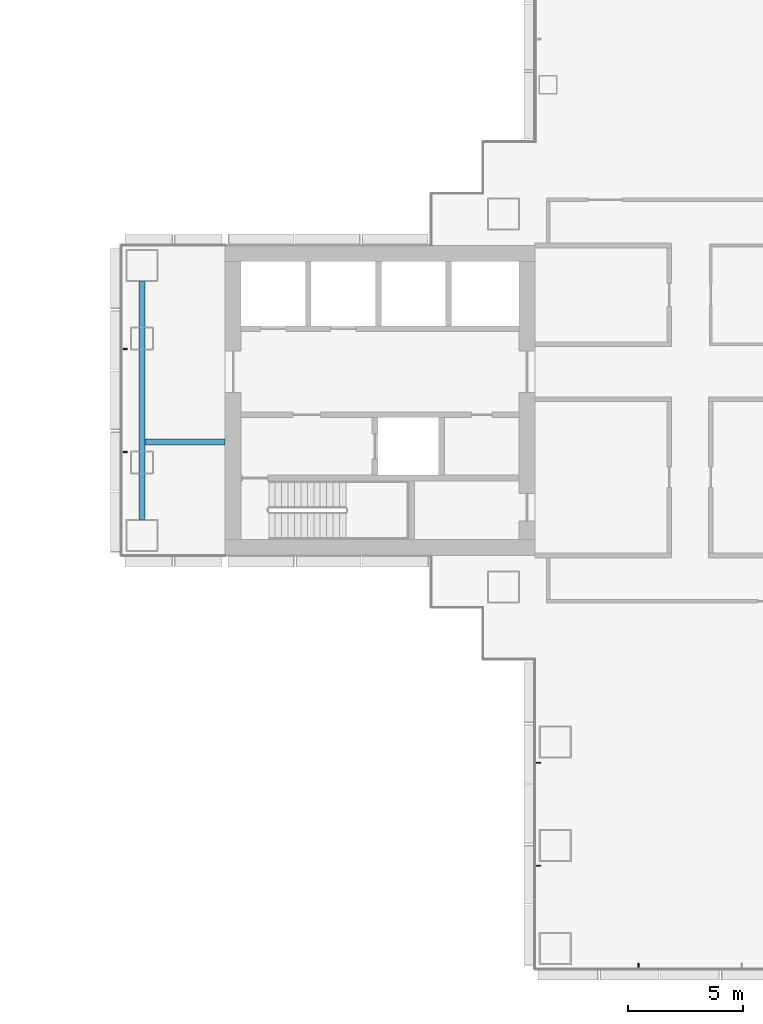
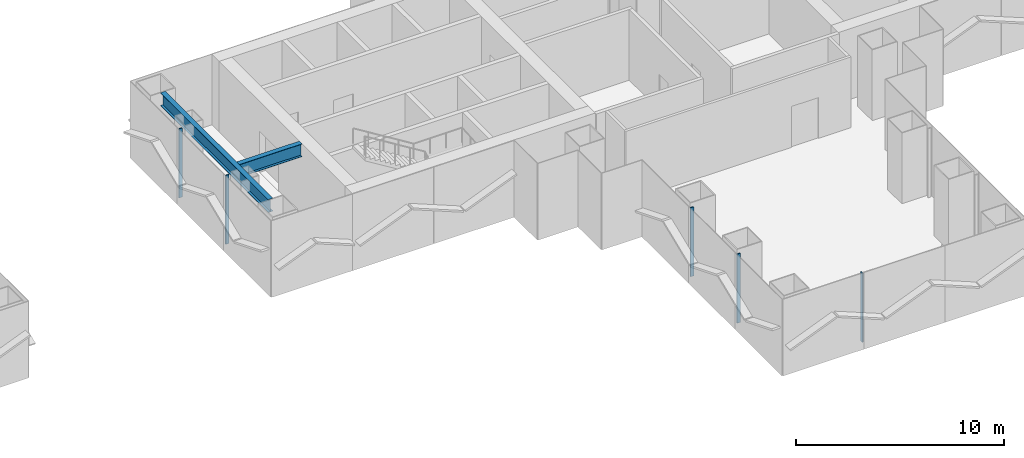
# One storey, part 7 of 22: 5 members, 2 beams, 3 elements without a shape of their own.
"""IFC4 building model written with IfcOpenShell, lengths in metres."""

from ifc_helpers import new_model, si_unit, direction, frame, origin, origin_2d, place, context, subcontext, project, spatial, rectangle, i_section, extrude, material, layer, layer_set, material_profile, profile_set, type_object, element, aggregate, save


model = new_model("IFC4")

# Units and contexts
model_context = context("Model", 3, precision=1e-05, world=origin(), true_north=direction((0.0, 1.0)))
body_context = subcontext(model_context, "Body", "Model", "MODEL_VIEW")
ifc_project = project(units=[si_unit("LENGTHUNIT", "METRE"), si_unit("AREAUNIT", "SQUARE_METRE"), si_unit("VOLUMEUNIT", "CUBIC_METRE"), si_unit("PLANEANGLEUNIT", "RADIAN"), si_unit("MASSUNIT", "GRAM", prefix="KILO")], contexts=[model_context])

# Site, building, storey
site_placement = place(None, origin())
site = spatial("IfcSite", under=ifc_project, at=site_placement, CompositionType="ELEMENT")
building_placement = place(site_placement, origin())
building = spatial("IfcBuilding", under=site, at=building_placement, Name="Shamsa Quay Exchange Towers", CompositionType="ELEMENT")
storey_placement = place(building_placement, frame((0.0, 0.0, 37.5)))
storey = spatial("IfcBuildingStorey", under=building, at=storey_placement, Name="L07", CompositionType="ELEMENT", Elevation=37.5)

# Curtain wall, members
ifc_material_1 = material(Name="Aluminium EN AW-6063 T6, black anodised", Category="aluminium")
ifc_layer = layer(ifc_material_1, 0.280029296875)
ifc_layer_set = layer_set([ifc_layer], Name="CW-1 UNITISED VISION GLASS")
curtain_wall_type = type_object("IfcCurtainWallType", Name="CW-1 UNITISED VISION GLASS", PredefinedType="NOTDEFINED", material=ifc_layer_set)
curtain_wall_1_placement = place(storey_placement, origin())
curtain_wall_1 = element("IfcCurtainWall", 1, at=curtain_wall_1_placement, inside=storey, type_object=curtain_wall_type, Name="CW1 T2-END-V+ L07", PredefinedType="NOTDEFINED")
ifc_material_profile_1 = material_profile(ifc_material_1, rectangle(XDim=0.179931640625, YDim=0.06005859375, at=origin_2d()), Name="MU60x180")
ifc_profile_set_1 = profile_set([ifc_material_profile_1], Name="Aluminium EN AW-6063 T6, black anodised")
member_type = type_object("IfcMemberType", Name="CW1 MULLION 60x180", PredefinedType="MULLION", material=ifc_profile_set_1)
member_1_placement = place(storey_placement, frame((9.14990234375, 2.25, 0.0)))
member_1 = element("IfcMember", 2, at=member_1_placement, type_object=member_type, Name="CW1 mullion", PredefinedType="MULLION", context=body_context, shape_type="SweptSolid", body=[
    extrude(rectangle(XDim=0.179931640625, YDim=0.06005859375, at=origin_2d()), origin(), (0.0, 0.0, 1.0), 4.050048828125),
])
member_2_placement = place(storey_placement, frame((9.14990234375, -2.25, 0.0)))
member_2 = element("IfcMember", 3, at=member_2_placement, type_object=member_type, Name="CW1 mullion", PredefinedType="MULLION", context=body_context, shape_type="SweptSolid", body=[
    extrude(rectangle(XDim=0.179931640625, YDim=0.06005859375, at=origin_2d()), origin(), (0.0, 0.0, 1.0), 4.050048828125),
])
aggregate(curtain_wall_1, [member_1, member_2])

curtain_wall_2_placement = place(storey_placement, origin())
curtain_wall_2 = element("IfcCurtainWall", 4, at=curtain_wall_2_placement, inside=storey, type_object=curtain_wall_type, Name="CW1 T2-FLK-U-N L07", PredefinedType="NOTDEFINED")
member_3_placement = place(storey_placement, frame((27.14990234375, -15.775390625, 0.0)))
member_3 = element("IfcMember", 5, at=member_3_placement, type_object=member_type, Name="CW1 mullion", PredefinedType="MULLION", context=body_context, shape_type="SweptSolid", body=[
    extrude(rectangle(XDim=0.179931640625, YDim=0.06005859375, at=origin_2d()), origin(), (0.0, 0.0, 1.0), 4.050048828125),
])
member_4_placement = place(storey_placement, frame((27.14990234375, -20.2626953125, 0.0)))
member_4 = element("IfcMember", 6, at=member_4_placement, type_object=member_type, Name="CW1 mullion", PredefinedType="MULLION", context=body_context, shape_type="SweptSolid", body=[
    extrude(rectangle(XDim=0.179931640625, YDim=0.06005859375, at=origin_2d()), origin(), (0.0, 0.0, 1.0), 4.050048828125),
])
aggregate(curtain_wall_2, [member_3, member_4])

# Curtain wall, member
curtain_wall_3_placement = place(storey_placement, origin())
curtain_wall_3 = element("IfcCurtainWall", 7, at=curtain_wall_3_placement, inside=storey, type_object=curtain_wall_type, Name="CW1 T2-END-U- L07", PredefinedType="NOTDEFINED")
member_5_placement = place(storey_placement, frame((31.5, -24.60009765625, 0.0), z_axis=(0.0, 0.0, 1.0), x_axis=(0.0, 1.0, 0.0)))
member_5 = element("IfcMember", 8, at=member_5_placement, type_object=member_type, Name="CW1 mullion", PredefinedType="MULLION", context=body_context, shape_type="SweptSolid", body=[
    extrude(rectangle(XDim=0.179931640625, YDim=0.06005859375, at=origin_2d()), origin(), (0.0, 0.0, 1.0), 4.050048828125),
])
aggregate(curtain_wall_3, [member_5])

# Beams
ifc_material_2 = material(Name="Steel S355", Category="steel")
ifc_material_profile_2 = material_profile(ifc_material_2, i_section(OverallWidth=0.26611328125, OverallDepth=0.7578125, WebThickness=0.013916015625, FlangeThickness=0.019287109375, at=origin_2d()), Name="W30x108")
ifc_profile_set_2 = profile_set([ifc_material_profile_2], Name="Steel S355")
beam_type = type_object("IfcBeamType", Name="End-zone beam W30x108", PredefinedType="BEAM", material=ifc_profile_set_2)
beam_1_placement = place(storey_placement, frame((9.875, -5.175048828125, 3.771240234375), z_axis=(0.0, 1.0, 0.0), x_axis=(-1.0, 0.0, 0.0)))
element("IfcBeam", 9, at=beam_1_placement, inside=storey, type_object=beam_type, Name="End beam T2 V+ end zone L07", PredefinedType="BEAM", context=body_context, shape_type="SweptSolid", body=[
    extrude(i_section(OverallWidth=0.26611328125, OverallDepth=0.7578125, WebThickness=0.013916015625, FlangeThickness=0.019287109375, at=origin_2d()), origin(), (0.0, 0.0, 1.0), 10.35009765625),
])
beam_2_placement = place(storey_placement, frame((13.5, -1.800048828125, 3.771240234375), z_axis=(-1.0, 0.0, 0.0), x_axis=(0.0, -1.0, 0.0)))
element("IfcBeam", 10, at=beam_2_placement, inside=storey, type_object=beam_type, Name="Spine beam T2 V+ end zone L07", PredefinedType="BEAM", context=body_context, shape_type="SweptSolid", body=[
    extrude(i_section(OverallWidth=0.26611328125, OverallDepth=0.7578125, WebThickness=0.013916015625, FlangeThickness=0.019287109375, at=origin_2d()), origin(), (0.0, 0.0, 1.0), 3.491943359375),
])

save(model, "model.ifc")
